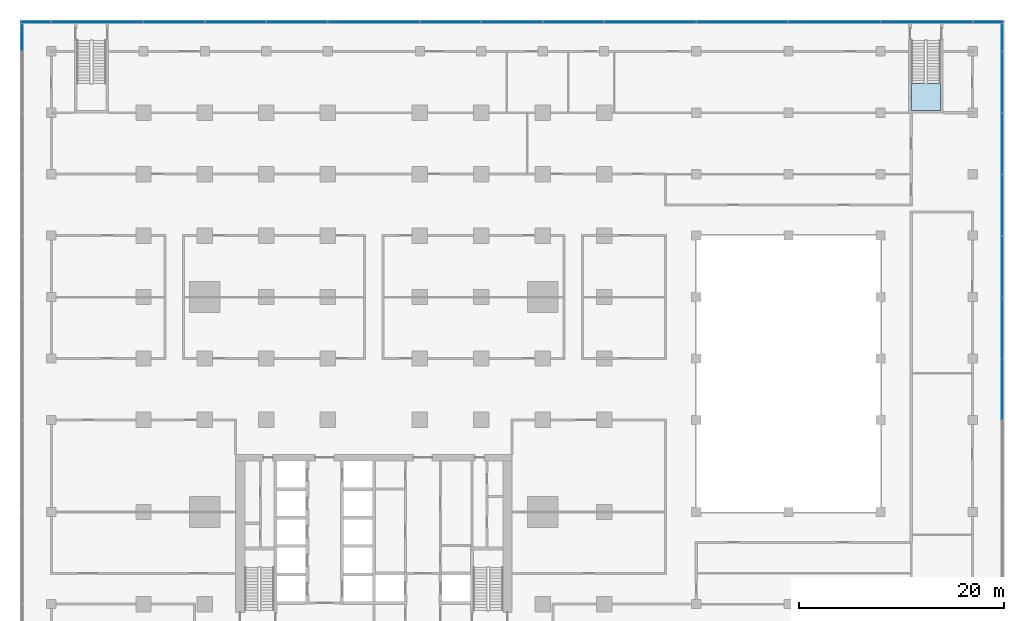
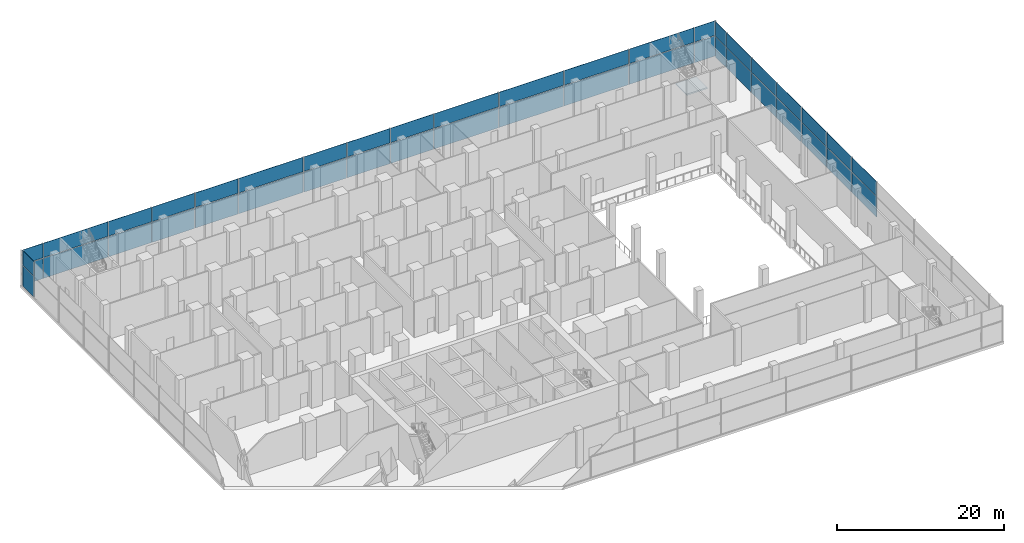
# One storey, part 11 of 22: 44 plates, 1 slab, 4 elements without a shape of their own.
"""IFC4 building model written with IfcOpenShell, lengths in metres."""

from ifc_helpers import new_model, si_unit, direction, frame, origin, origin_2d, place, context, subcontext, project, spatial, polyline, rectangle, outline, extrude, material, layer, layer_set, type_object, element, aggregate, save


model = new_model("IFC4")

# Units and contexts
model_context = context("Model", 3, precision=1e-05, world=origin(), true_north=direction((0.0, 1.0)))
body_context = subcontext(model_context, "Body", "Model", "MODEL_VIEW")
ifc_project = project(units=[si_unit("LENGTHUNIT", "METRE"), si_unit("AREAUNIT", "SQUARE_METRE"), si_unit("VOLUMEUNIT", "CUBIC_METRE"), si_unit("PLANEANGLEUNIT", "RADIAN"), si_unit("MASSUNIT", "GRAM", prefix="KILO")], contexts=[model_context])

# Site, building, storey
site_placement = place(None, origin())
site = spatial("IfcSite", under=ifc_project, at=site_placement, CompositionType="ELEMENT")
building_placement = place(site_placement, origin())
building = spatial("IfcBuilding", under=site, at=building_placement, Name="Finial Court Residences", CompositionType="ELEMENT")
storey_placement = place(building_placement, frame((0.0, 0.0, 8.0)))
storey = spatial("IfcBuildingStorey", under=building, at=storey_placement, Name="L01", CompositionType="ELEMENT", Elevation=8.0)

# Curtain wall, plates
ifc_material_1 = material(Name="Bronze anodised aluminium", Category="aluminium")
curtain_wall_type = type_object("IfcCurtainWallType", Name="Podium curtain wall", PredefinedType="NOTDEFINED", material=ifc_material_1)
curtain_wall_1_placement = place(storey_placement, origin())
curtain_wall_1 = element("IfcCurtainWall", 1, at=curtain_wall_1_placement, inside=storey, type_object=curtain_wall_type, Name="E-L01-CW-N1", PredefinedType="NOTDEFINED")
ifc_material_2 = material(Name="Clear low-e glass", Category="glass")
ifc_layer_1 = layer(ifc_material_2, 0.035888671875)
ifc_layer_set_1 = layer_set([ifc_layer_1], Name="CW5 vision glass 36")
plate_type = type_object("IfcPlateType", Name="CW5 vision glass 36", PredefinedType="CURTAIN_PANEL", material=ifc_layer_set_1)
plate_1_placement = place(storey_placement, frame((-32.97998046875, 34.35009765625, 0.0), z_axis=(0.0, 0.0, 1.0), x_axis=(1.0, 0.0, 0.0)))
plate_1 = element("IfcPlate", 2, at=plate_1_placement, type_object=plate_type, Name="CW5 glass 1.1", PredefinedType="CURTAIN_PANEL", context=body_context, shape_type="SweptSolid", body=[
    extrude(rectangle(XDim=2.8798828125, YDim=0.035888671875, at=origin_2d()), origin(), (0.0, 0.0, 1.0), 2.9599609375),
])
plate_2_placement = place(storey_placement, frame((-32.97998046875, 34.35009765625, 3.0400390625), z_axis=(0.0, 0.0, 1.0), x_axis=(1.0, 0.0, 0.0)))
plate_2 = element("IfcPlate", 3, at=plate_2_placement, type_object=plate_type, Name="CW5 glass 1.2", PredefinedType="CURTAIN_PANEL", context=body_context, shape_type="SweptSolid", body=[
    extrude(rectangle(XDim=2.8798828125, YDim=0.035888671875, at=origin_2d()), origin(), (0.0, 0.0, 1.0), 2.110107421875),
])
plate_3_placement = place(storey_placement, frame((-27.0, 34.35009765625, 0.0), z_axis=(0.0, 0.0, 1.0), x_axis=(1.0, 0.0, 0.0)))
plate_3 = element("IfcPlate", 4, at=plate_3_placement, type_object=plate_type, Name="CW5 glass 2.1", PredefinedType="CURTAIN_PANEL", context=body_context, shape_type="SweptSolid", body=[
    extrude(rectangle(XDim=8.919921875, YDim=0.035888671875, at=origin_2d()), origin(), (0.0, 0.0, 1.0), 2.9599609375),
])
plate_4_placement = place(storey_placement, frame((-27.0, 34.35009765625, 3.0400390625), z_axis=(0.0, 0.0, 1.0), x_axis=(1.0, 0.0, 0.0)))
plate_4 = element("IfcPlate", 5, at=plate_4_placement, type_object=plate_type, Name="CW5 glass 2.2", PredefinedType="CURTAIN_PANEL", context=body_context, shape_type="SweptSolid", body=[
    extrude(rectangle(XDim=8.919921875, YDim=0.035888671875, at=origin_2d()), origin(), (0.0, 0.0, 1.0), 2.110107421875),
])
plate_5_placement = place(storey_placement, frame((-19.5, 34.35009765625, 0.0), z_axis=(0.0, 0.0, 1.0), x_axis=(1.0, 0.0, 0.0)))
plate_5 = element("IfcPlate", 6, at=plate_5_placement, type_object=plate_type, Name="CW5 glass 3.1", PredefinedType="CURTAIN_PANEL", context=body_context, shape_type="SweptSolid", body=[
    extrude(rectangle(XDim=5.919921875, YDim=0.035888671875, at=origin_2d()), origin(), (0.0, 0.0, 1.0), 2.9599609375),
])
plate_6_placement = place(storey_placement, frame((-19.5, 34.35009765625, 3.0400390625), z_axis=(0.0, 0.0, 1.0), x_axis=(1.0, 0.0, 0.0)))
plate_6 = element("IfcPlate", 7, at=plate_6_placement, type_object=plate_type, Name="CW5 glass 3.2", PredefinedType="CURTAIN_PANEL", context=body_context, shape_type="SweptSolid", body=[
    extrude(rectangle(XDim=5.919921875, YDim=0.035888671875, at=origin_2d()), origin(), (0.0, 0.0, 1.0), 2.110107421875),
])
plate_7_placement = place(storey_placement, frame((-13.5, 34.35009765625, 0.0), z_axis=(0.0, 0.0, 1.0), x_axis=(1.0, 0.0, 0.0)))
plate_7 = element("IfcPlate", 8, at=plate_7_placement, type_object=plate_type, Name="CW5 glass 4.1", PredefinedType="CURTAIN_PANEL", context=body_context, shape_type="SweptSolid", body=[
    extrude(rectangle(XDim=5.919921875, YDim=0.035888671875, at=origin_2d()), origin(), (0.0, 0.0, 1.0), 2.9599609375),
])
plate_8_placement = place(storey_placement, frame((-13.5, 34.35009765625, 3.0400390625), z_axis=(0.0, 0.0, 1.0), x_axis=(1.0, 0.0, 0.0)))
plate_8 = element("IfcPlate", 9, at=plate_8_placement, type_object=plate_type, Name="CW5 glass 4.2", PredefinedType="CURTAIN_PANEL", context=body_context, shape_type="SweptSolid", body=[
    extrude(rectangle(XDim=5.919921875, YDim=0.035888671875, at=origin_2d()), origin(), (0.0, 0.0, 1.0), 2.110107421875),
])
plate_9_placement = place(storey_placement, frame((-7.5, 34.35009765625, 0.0), z_axis=(0.0, 0.0, 1.0), x_axis=(1.0, 0.0, 0.0)))
plate_9 = element("IfcPlate", 10, at=plate_9_placement, type_object=plate_type, Name="CW5 glass 5.1", PredefinedType="CURTAIN_PANEL", context=body_context, shape_type="SweptSolid", body=[
    extrude(rectangle(XDim=5.919921875, YDim=0.035888671875, at=origin_2d()), origin(), (0.0, 0.0, 1.0), 2.9599609375),
])
plate_10_placement = place(storey_placement, frame((-7.5, 34.35009765625, 3.0400390625), z_axis=(0.0, 0.0, 1.0), x_axis=(1.0, 0.0, 0.0)))
plate_10 = element("IfcPlate", 11, at=plate_10_placement, type_object=plate_type, Name="CW5 glass 5.2", PredefinedType="CURTAIN_PANEL", context=body_context, shape_type="SweptSolid", body=[
    extrude(rectangle(XDim=5.919921875, YDim=0.035888671875, at=origin_2d()), origin(), (0.0, 0.0, 1.0), 2.110107421875),
])
plate_11_placement = place(storey_placement, frame((0.0, 34.35009765625, 0.0), z_axis=(0.0, 0.0, 1.0), x_axis=(1.0, 0.0, 0.0)))
plate_11 = element("IfcPlate", 12, at=plate_11_placement, type_object=plate_type, Name="CW5 glass 6.1", PredefinedType="CURTAIN_PANEL", context=body_context, shape_type="SweptSolid", body=[
    extrude(rectangle(XDim=8.919921875, YDim=0.035888671875, at=origin_2d()), origin(), (0.0, 0.0, 1.0), 2.9599609375),
])
plate_12_placement = place(storey_placement, frame((0.0, 34.35009765625, 3.0400390625), z_axis=(0.0, 0.0, 1.0), x_axis=(1.0, 0.0, 0.0)))
plate_12 = element("IfcPlate", 13, at=plate_12_placement, type_object=plate_type, Name="CW5 glass 6.2", PredefinedType="CURTAIN_PANEL", context=body_context, shape_type="SweptSolid", body=[
    extrude(rectangle(XDim=8.919921875, YDim=0.035888671875, at=origin_2d()), origin(), (0.0, 0.0, 1.0), 2.110107421875),
])
plate_13_placement = place(storey_placement, frame((7.5, 34.35009765625, 0.0), z_axis=(0.0, 0.0, 1.0), x_axis=(1.0, 0.0, 0.0)))
plate_13 = element("IfcPlate", 14, at=plate_13_placement, type_object=plate_type, Name="CW5 glass 7.1", PredefinedType="CURTAIN_PANEL", context=body_context, shape_type="SweptSolid", body=[
    extrude(rectangle(XDim=5.919921875, YDim=0.035888671875, at=origin_2d()), origin(), (0.0, 0.0, 1.0), 2.9599609375),
])
plate_14_placement = place(storey_placement, frame((7.5, 34.35009765625, 3.0400390625), z_axis=(0.0, 0.0, 1.0), x_axis=(1.0, 0.0, 0.0)))
plate_14 = element("IfcPlate", 15, at=plate_14_placement, type_object=plate_type, Name="CW5 glass 7.2", PredefinedType="CURTAIN_PANEL", context=body_context, shape_type="SweptSolid", body=[
    extrude(rectangle(XDim=5.919921875, YDim=0.035888671875, at=origin_2d()), origin(), (0.0, 0.0, 1.0), 2.110107421875),
])
plate_15_placement = place(storey_placement, frame((13.5, 34.35009765625, 0.0), z_axis=(0.0, 0.0, 1.0), x_axis=(1.0, 0.0, 0.0)))
plate_15 = element("IfcPlate", 16, at=plate_15_placement, type_object=plate_type, Name="CW5 glass 8.1", PredefinedType="CURTAIN_PANEL", context=body_context, shape_type="SweptSolid", body=[
    extrude(rectangle(XDim=5.919921875, YDim=0.035888671875, at=origin_2d()), origin(), (0.0, 0.0, 1.0), 2.9599609375),
])
plate_16_placement = place(storey_placement, frame((13.5, 34.35009765625, 3.0400390625), z_axis=(0.0, 0.0, 1.0), x_axis=(1.0, 0.0, 0.0)))
plate_16 = element("IfcPlate", 17, at=plate_16_placement, type_object=plate_type, Name="CW5 glass 8.2", PredefinedType="CURTAIN_PANEL", context=body_context, shape_type="SweptSolid", body=[
    extrude(rectangle(XDim=5.919921875, YDim=0.035888671875, at=origin_2d()), origin(), (0.0, 0.0, 1.0), 2.110107421875),
])
plate_17_placement = place(storey_placement, frame((19.5, 34.35009765625, 0.0), z_axis=(0.0, 0.0, 1.0), x_axis=(1.0, 0.0, 0.0)))
plate_17 = element("IfcPlate", 18, at=plate_17_placement, type_object=plate_type, Name="CW5 glass 9.1", PredefinedType="CURTAIN_PANEL", context=body_context, shape_type="SweptSolid", body=[
    extrude(rectangle(XDim=5.919921875, YDim=0.035888671875, at=origin_2d()), origin(), (0.0, 0.0, 1.0), 2.9599609375),
])
plate_18_placement = place(storey_placement, frame((19.5, 34.35009765625, 3.0400390625), z_axis=(0.0, 0.0, 1.0), x_axis=(1.0, 0.0, 0.0)))
plate_18 = element("IfcPlate", 19, at=plate_18_placement, type_object=plate_type, Name="CW5 glass 9.2", PredefinedType="CURTAIN_PANEL", context=body_context, shape_type="SweptSolid", body=[
    extrude(rectangle(XDim=5.919921875, YDim=0.035888671875, at=origin_2d()), origin(), (0.0, 0.0, 1.0), 2.110107421875),
])
plate_19_placement = place(storey_placement, frame((27.0, 34.35009765625, 0.0), z_axis=(0.0, 0.0, 1.0), x_axis=(1.0, 0.0, 0.0)))
plate_19 = element("IfcPlate", 20, at=plate_19_placement, type_object=plate_type, Name="CW5 glass 10.1", PredefinedType="CURTAIN_PANEL", context=body_context, shape_type="SweptSolid", body=[
    extrude(rectangle(XDim=8.919921875, YDim=0.035888671875, at=origin_2d()), origin(), (0.0, 0.0, 1.0), 2.9599609375),
])
plate_20_placement = place(storey_placement, frame((27.0, 34.35009765625, 3.0400390625), z_axis=(0.0, 0.0, 1.0), x_axis=(1.0, 0.0, 0.0)))
plate_20 = element("IfcPlate", 21, at=plate_20_placement, type_object=plate_type, Name="CW5 glass 10.2", PredefinedType="CURTAIN_PANEL", context=body_context, shape_type="SweptSolid", body=[
    extrude(rectangle(XDim=8.919921875, YDim=0.035888671875, at=origin_2d()), origin(), (0.0, 0.0, 1.0), 2.110107421875),
])
plate_21_placement = place(storey_placement, frame((36.0, 34.35009765625, 0.0), z_axis=(0.0, 0.0, 1.0), x_axis=(1.0, 0.0, 0.0)))
plate_21 = element("IfcPlate", 22, at=plate_21_placement, type_object=plate_type, Name="CW5 glass 11.1", PredefinedType="CURTAIN_PANEL", context=body_context, shape_type="SweptSolid", body=[
    extrude(rectangle(XDim=8.919921875, YDim=0.035888671875, at=origin_2d()), origin(), (0.0, 0.0, 1.0), 2.9599609375),
])
plate_22_placement = place(storey_placement, frame((36.0, 34.35009765625, 3.0400390625), z_axis=(0.0, 0.0, 1.0), x_axis=(1.0, 0.0, 0.0)))
plate_22 = element("IfcPlate", 23, at=plate_22_placement, type_object=plate_type, Name="CW5 glass 11.2", PredefinedType="CURTAIN_PANEL", context=body_context, shape_type="SweptSolid", body=[
    extrude(rectangle(XDim=8.919921875, YDim=0.035888671875, at=origin_2d()), origin(), (0.0, 0.0, 1.0), 2.110107421875),
])
plate_23_placement = place(storey_placement, frame((45.0, 34.35009765625, 0.0), z_axis=(0.0, 0.0, 1.0), x_axis=(1.0, 0.0, 0.0)))
plate_23 = element("IfcPlate", 24, at=plate_23_placement, type_object=plate_type, Name="CW5 glass 12.1", PredefinedType="CURTAIN_PANEL", context=body_context, shape_type="SweptSolid", body=[
    extrude(rectangle(XDim=8.919921875, YDim=0.035888671875, at=origin_2d()), origin(), (0.0, 0.0, 1.0), 2.9599609375),
])
plate_24_placement = place(storey_placement, frame((45.0, 34.35009765625, 3.0400390625), z_axis=(0.0, 0.0, 1.0), x_axis=(1.0, 0.0, 0.0)))
plate_24 = element("IfcPlate", 25, at=plate_24_placement, type_object=plate_type, Name="CW5 glass 12.2", PredefinedType="CURTAIN_PANEL", context=body_context, shape_type="SweptSolid", body=[
    extrude(rectangle(XDim=8.919921875, YDim=0.035888671875, at=origin_2d()), origin(), (0.0, 0.0, 1.0), 2.110107421875),
])
plate_25_placement = place(storey_placement, frame((54.0, 34.35009765625, 0.0), z_axis=(0.0, 0.0, 1.0), x_axis=(1.0, 0.0, 0.0)))
plate_25 = element("IfcPlate", 26, at=plate_25_placement, type_object=plate_type, Name="CW5 glass 13.1", PredefinedType="CURTAIN_PANEL", context=body_context, shape_type="SweptSolid", body=[
    extrude(rectangle(XDim=8.919921875, YDim=0.035888671875, at=origin_2d()), origin(), (0.0, 0.0, 1.0), 2.9599609375),
])
plate_26_placement = place(storey_placement, frame((54.0, 34.35009765625, 3.0400390625), z_axis=(0.0, 0.0, 1.0), x_axis=(1.0, 0.0, 0.0)))
plate_26 = element("IfcPlate", 27, at=plate_26_placement, type_object=plate_type, Name="CW5 glass 13.2", PredefinedType="CURTAIN_PANEL", context=body_context, shape_type="SweptSolid", body=[
    extrude(rectangle(XDim=8.919921875, YDim=0.035888671875, at=origin_2d()), origin(), (0.0, 0.0, 1.0), 2.110107421875),
])
plate_27_placement = place(storey_placement, frame((59.97998046875, 34.35009765625, 0.0), z_axis=(0.0, 0.0, 1.0), x_axis=(1.0, 0.0, 0.0)))
plate_27 = element("IfcPlate", 28, at=plate_27_placement, type_object=plate_type, Name="CW5 glass 14.1", PredefinedType="CURTAIN_PANEL", context=body_context, shape_type="SweptSolid", body=[
    extrude(rectangle(XDim=2.8798828125, YDim=0.035888671875, at=origin_2d()), origin(), (0.0, 0.0, 1.0), 2.9599609375),
])
plate_28_placement = place(storey_placement, frame((59.97998046875, 34.35009765625, 3.0400390625), z_axis=(0.0, 0.0, 1.0), x_axis=(1.0, 0.0, 0.0)))
plate_28 = element("IfcPlate", 29, at=plate_28_placement, type_object=plate_type, Name="CW5 glass 14.2", PredefinedType="CURTAIN_PANEL", context=body_context, shape_type="SweptSolid", body=[
    extrude(rectangle(XDim=2.8798828125, YDim=0.035888671875, at=origin_2d()), origin(), (0.0, 0.0, 1.0), 2.110107421875),
])
aggregate(curtain_wall_1, [plate_1, plate_2, plate_3, plate_4, plate_5, plate_6, plate_7, plate_8, plate_9, plate_10, plate_11, plate_12, plate_13, plate_14, plate_15, plate_16, plate_17, plate_18, plate_19, plate_20, plate_21, plate_22, plate_23, plate_24, plate_25, plate_26, plate_27, plate_28])

curtain_wall_2_placement = place(storey_placement, origin())
curtain_wall_2 = element("IfcCurtainWall", 30, at=curtain_wall_2_placement, inside=storey, type_object=curtain_wall_type, Name="E-L01-CW-E2", PredefinedType="NOTDEFINED")
plate_29_placement = place(storey_placement, frame((61.35009765625, -1.5, 0.0), z_axis=(0.0, 0.0, 1.0), x_axis=(0.0, 1.0, 0.0)))
plate_29 = element("IfcPlate", 31, at=plate_29_placement, type_object=plate_type, Name="CW5 glass 5.1", PredefinedType="CURTAIN_PANEL", context=body_context, shape_type="SweptSolid", body=[
    extrude(rectangle(XDim=5.919921875, YDim=0.035888671875, at=origin_2d()), origin(), (0.0, 0.0, 1.0), 2.9599609375),
])
plate_30_placement = place(storey_placement, frame((61.35009765625, -1.5, 3.0400390625), z_axis=(0.0, 0.0, 1.0), x_axis=(0.0, 1.0, 0.0)))
plate_30 = element("IfcPlate", 32, at=plate_30_placement, type_object=plate_type, Name="CW5 glass 5.2", PredefinedType="CURTAIN_PANEL", context=body_context, shape_type="SweptSolid", body=[
    extrude(rectangle(XDim=5.919921875, YDim=0.035888671875, at=origin_2d()), origin(), (0.0, 0.0, 1.0), 2.110107421875),
])
plate_31_placement = place(storey_placement, frame((61.35009765625, 4.5, 0.0), z_axis=(0.0, 0.0, 1.0), x_axis=(0.0, 1.0, 0.0)))
plate_31 = element("IfcPlate", 33, at=plate_31_placement, type_object=plate_type, Name="CW5 glass 6.1", PredefinedType="CURTAIN_PANEL", context=body_context, shape_type="SweptSolid", body=[
    extrude(rectangle(XDim=5.919921875, YDim=0.035888671875, at=origin_2d()), origin(), (0.0, 0.0, 1.0), 2.9599609375),
])
plate_32_placement = place(storey_placement, frame((61.35009765625, 4.5, 3.0400390625), z_axis=(0.0, 0.0, 1.0), x_axis=(0.0, 1.0, 0.0)))
plate_32 = element("IfcPlate", 34, at=plate_32_placement, type_object=plate_type, Name="CW5 glass 6.2", PredefinedType="CURTAIN_PANEL", context=body_context, shape_type="SweptSolid", body=[
    extrude(rectangle(XDim=5.919921875, YDim=0.035888671875, at=origin_2d()), origin(), (0.0, 0.0, 1.0), 2.110107421875),
])
plate_33_placement = place(storey_placement, frame((61.35009765625, 10.5, 0.0), z_axis=(0.0, 0.0, 1.0), x_axis=(0.0, 1.0, 0.0)))
plate_33 = element("IfcPlate", 35, at=plate_33_placement, type_object=plate_type, Name="CW5 glass 7.1", PredefinedType="CURTAIN_PANEL", context=body_context, shape_type="SweptSolid", body=[
    extrude(rectangle(XDim=5.919921875, YDim=0.035888671875, at=origin_2d()), origin(), (0.0, 0.0, 1.0), 2.9599609375),
])
plate_34_placement = place(storey_placement, frame((61.35009765625, 10.5, 3.0400390625), z_axis=(0.0, 0.0, 1.0), x_axis=(0.0, 1.0, 0.0)))
plate_34 = element("IfcPlate", 36, at=plate_34_placement, type_object=plate_type, Name="CW5 glass 7.2", PredefinedType="CURTAIN_PANEL", context=body_context, shape_type="SweptSolid", body=[
    extrude(rectangle(XDim=5.919921875, YDim=0.035888671875, at=origin_2d()), origin(), (0.0, 0.0, 1.0), 2.110107421875),
])
plate_35_placement = place(storey_placement, frame((61.35009765625, 16.5, 0.0), z_axis=(0.0, 0.0, 1.0), x_axis=(0.0, 1.0, 0.0)))
plate_35 = element("IfcPlate", 37, at=plate_35_placement, type_object=plate_type, Name="CW5 glass 8.1", PredefinedType="CURTAIN_PANEL", context=body_context, shape_type="SweptSolid", body=[
    extrude(rectangle(XDim=5.919921875, YDim=0.035888671875, at=origin_2d()), origin(), (0.0, 0.0, 1.0), 2.9599609375),
])
plate_36_placement = place(storey_placement, frame((61.35009765625, 16.5, 3.0400390625), z_axis=(0.0, 0.0, 1.0), x_axis=(0.0, 1.0, 0.0)))
plate_36 = element("IfcPlate", 38, at=plate_36_placement, type_object=plate_type, Name="CW5 glass 8.2", PredefinedType="CURTAIN_PANEL", context=body_context, shape_type="SweptSolid", body=[
    extrude(rectangle(XDim=5.919921875, YDim=0.035888671875, at=origin_2d()), origin(), (0.0, 0.0, 1.0), 2.110107421875),
])
plate_37_placement = place(storey_placement, frame((61.35009765625, 22.5, 0.0), z_axis=(0.0, 0.0, 1.0), x_axis=(0.0, 1.0, 0.0)))
plate_37 = element("IfcPlate", 39, at=plate_37_placement, type_object=plate_type, Name="CW5 glass 9.1", PredefinedType="CURTAIN_PANEL", context=body_context, shape_type="SweptSolid", body=[
    extrude(rectangle(XDim=5.919921875, YDim=0.035888671875, at=origin_2d()), origin(), (0.0, 0.0, 1.0), 2.9599609375),
])
plate_38_placement = place(storey_placement, frame((61.35009765625, 22.5, 3.0400390625), z_axis=(0.0, 0.0, 1.0), x_axis=(0.0, 1.0, 0.0)))
plate_38 = element("IfcPlate", 40, at=plate_38_placement, type_object=plate_type, Name="CW5 glass 9.2", PredefinedType="CURTAIN_PANEL", context=body_context, shape_type="SweptSolid", body=[
    extrude(rectangle(XDim=5.919921875, YDim=0.035888671875, at=origin_2d()), origin(), (0.0, 0.0, 1.0), 2.110107421875),
])
plate_39_placement = place(storey_placement, frame((61.35009765625, 28.5, 0.0), z_axis=(0.0, 0.0, 1.0), x_axis=(0.0, 1.0, 0.0)))
plate_39 = element("IfcPlate", 41, at=plate_39_placement, type_object=plate_type, Name="CW5 glass 10.1", PredefinedType="CURTAIN_PANEL", context=body_context, shape_type="SweptSolid", body=[
    extrude(rectangle(XDim=5.919921875, YDim=0.035888671875, at=origin_2d()), origin(), (0.0, 0.0, 1.0), 2.9599609375),
])
plate_40_placement = place(storey_placement, frame((61.35009765625, 28.5, 3.0400390625), z_axis=(0.0, 0.0, 1.0), x_axis=(0.0, 1.0, 0.0)))
plate_40 = element("IfcPlate", 42, at=plate_40_placement, type_object=plate_type, Name="CW5 glass 10.2", PredefinedType="CURTAIN_PANEL", context=body_context, shape_type="SweptSolid", body=[
    extrude(rectangle(XDim=5.919921875, YDim=0.035888671875, at=origin_2d()), origin(), (0.0, 0.0, 1.0), 2.110107421875),
])
plate_41_placement = place(storey_placement, frame((61.35009765625, 32.8486328125, 0.0), z_axis=(0.0, 0.0, 1.0), x_axis=(0.0, 1.0, 0.0)))
plate_41 = element("IfcPlate", 43, at=plate_41_placement, type_object=plate_type, Name="CW5 glass 11.1", PredefinedType="CURTAIN_PANEL", context=body_context, shape_type="SweptSolid", body=[
    extrude(rectangle(XDim=2.617431640625, YDim=0.035888671875, at=origin_2d()), origin(), (0.0, 0.0, 1.0), 2.9599609375),
])
plate_42_placement = place(storey_placement, frame((61.35009765625, 32.8486328125, 3.0400390625), z_axis=(0.0, 0.0, 1.0), x_axis=(0.0, 1.0, 0.0)))
plate_42 = element("IfcPlate", 44, at=plate_42_placement, type_object=plate_type, Name="CW5 glass 11.2", PredefinedType="CURTAIN_PANEL", context=body_context, shape_type="SweptSolid", body=[
    extrude(rectangle(XDim=2.617431640625, YDim=0.035888671875, at=origin_2d()), origin(), (0.0, 0.0, 1.0), 2.110107421875),
])
aggregate(curtain_wall_2, [plate_29, plate_30, plate_31, plate_32, plate_33, plate_34, plate_35, plate_36, plate_37, plate_38, plate_39, plate_40, plate_41, plate_42])

curtain_wall_3_placement = place(storey_placement, origin())
curtain_wall_3 = element("IfcCurtainWall", 45, at=curtain_wall_3_placement, inside=storey, type_object=curtain_wall_type, Name="E-L01-CW-W4", PredefinedType="NOTDEFINED")
plate_43_placement = place(storey_placement, frame((-34.35009765625, 32.8486328125, 0.0), z_axis=(0.0, 0.0, 1.0), x_axis=(0.0, 1.0, 0.0)))
plate_43 = element("IfcPlate", 46, at=plate_43_placement, type_object=plate_type, Name="CW5 glass 11.1", PredefinedType="CURTAIN_PANEL", context=body_context, shape_type="SweptSolid", body=[
    extrude(rectangle(XDim=2.617431640625, YDim=0.035888671875, at=origin_2d()), origin(), (0.0, 0.0, 1.0), 2.9599609375),
])
plate_44_placement = place(storey_placement, frame((-34.35009765625, 32.8486328125, 3.0400390625), z_axis=(0.0, 0.0, 1.0), x_axis=(0.0, 1.0, 0.0)))
plate_44 = element("IfcPlate", 47, at=plate_44_placement, type_object=plate_type, Name="CW5 glass 11.2", PredefinedType="CURTAIN_PANEL", context=body_context, shape_type="SweptSolid", body=[
    extrude(rectangle(XDim=2.617431640625, YDim=0.035888671875, at=origin_2d()), origin(), (0.0, 0.0, 1.0), 2.110107421875),
])
aggregate(curtain_wall_3, [plate_43, plate_44])

# Stair, slab
ifc_material_3 = material(Name="Concrete C50/60", Category="concrete")
stair_type = type_object("IfcStairType", Name="Exit stair 32 risers of 171.9 mm", PredefinedType="HALF_TURN_STAIR", material=ifc_material_3)
stair_placement = place(storey_placement, origin())
stair = element("IfcStair", 48, at=stair_placement, inside=storey, type_object=stair_type, Name="L01 Exit Stair 5", PredefinedType="HALF_TURN_STAIR")
ifc_layer_2 = layer(ifc_material_3, 0.199951171875)
ifc_layer_set_2 = layer_set([ifc_layer_2], Name="Exit stair landing")
slab_type = type_object("IfcSlabType", Name="Exit stair landing", PredefinedType="LANDING", material=ifc_layer_set_2)
slab_placement = place(storey_placement, frame((0.0, 0.0, 2.550048828125)))
slab = element("IfcSlab", 49, at=slab_placement, type_object=slab_type, Name="ST-5 landing 1", PredefinedType="LANDING", context=body_context, shape_type="SweptSolid", body=[
    extrude(outline(polyline([(52.5, 28.35009765625), (52.5, 25.719970703125), (55.35009765625, 25.719970703125), (55.35009765625, 28.35009765625), (52.5, 28.35009765625)])), origin(), (0.0, 0.0, 1.0), 0.199951171875),
])
aggregate(stair, [slab])

save(model, "model.ifc")
